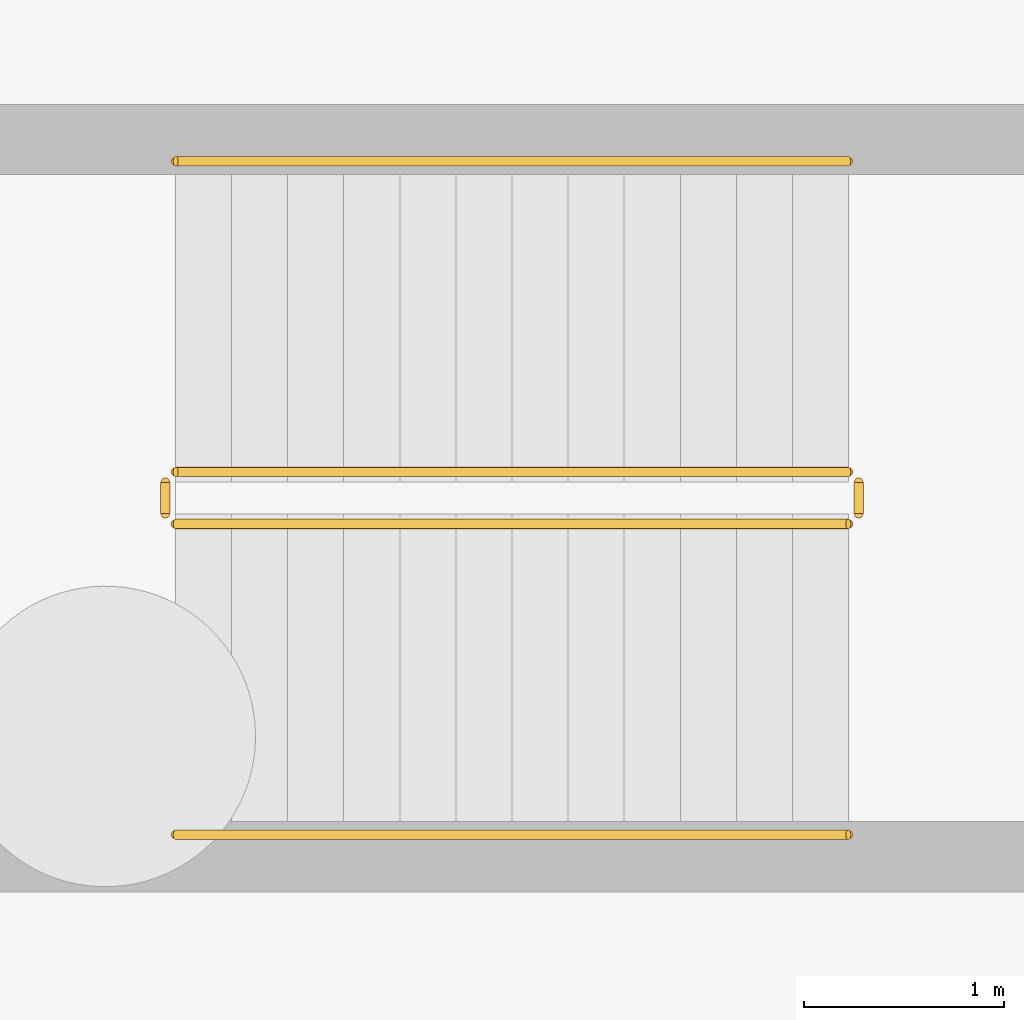
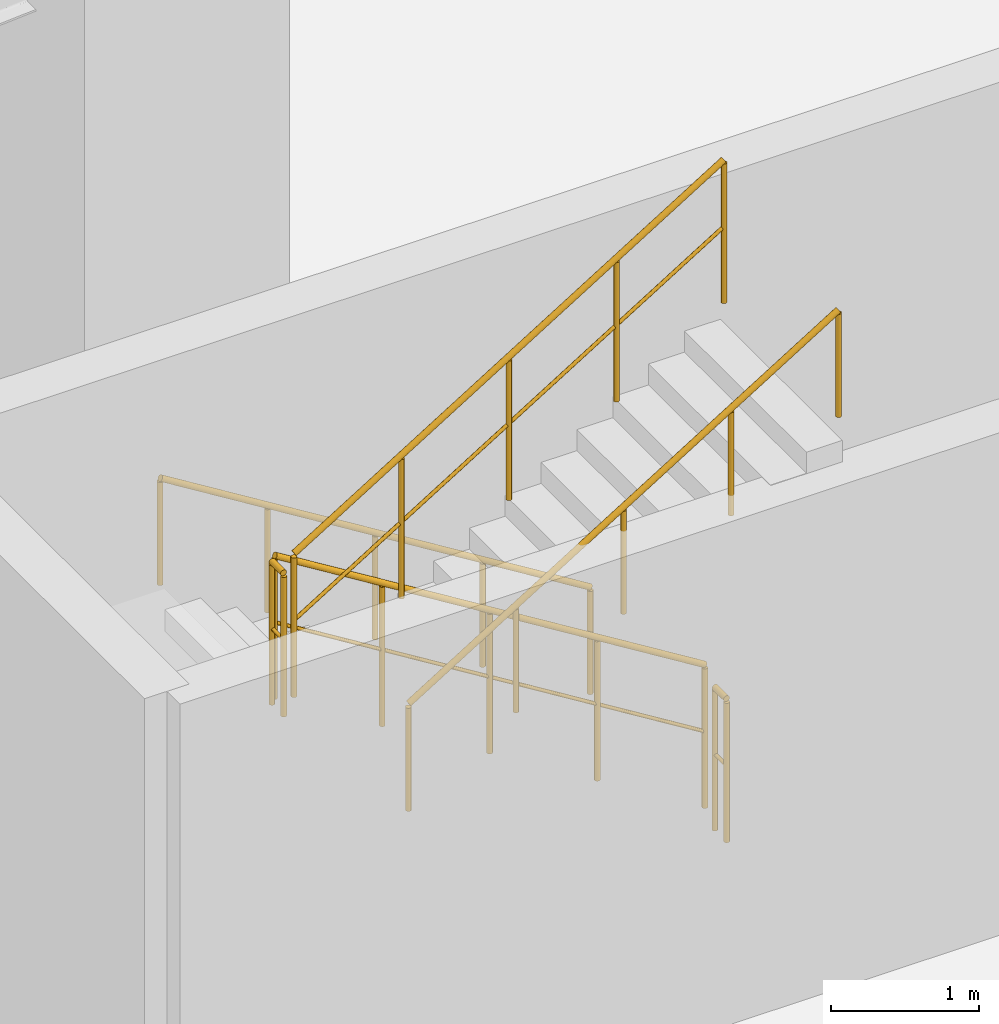
# One storey, part 11 of 15: 6 railings.
"""IFC4 building model written with IfcOpenShell, lengths in metres."""

from ifc_helpers import new_model, si_unit, direction, frame, origin, origin_2d, place, context, subcontext, project, spatial, circle, extrude, material, type_object, element, save


model = new_model("IFC4")

# Units and contexts
model_context = context("Model", 3, precision=1e-05, world=origin(), true_north=direction((0.0, 1.0)))
body_context = subcontext(model_context, "Body", "Model", "MODEL_VIEW")
ifc_project = project(units=[si_unit("LENGTHUNIT", "METRE"), si_unit("AREAUNIT", "SQUARE_METRE"), si_unit("VOLUMEUNIT", "CUBIC_METRE"), si_unit("PLANEANGLEUNIT", "RADIAN"), si_unit("MASSUNIT", "GRAM", prefix="KILO")], contexts=[model_context])

# Site, building, storey
site_placement = place(None, origin())
site = spatial("IfcSite", under=ifc_project, at=site_placement, CompositionType="ELEMENT")
building_placement = place(site_placement, origin())
building = spatial("IfcBuilding", under=site, at=building_placement, Name="Sahyath Konkavel Grand Hotel", CompositionType="ELEMENT")
storey_placement = place(building_placement, frame((0.0, 0.0, -9.0)))
storey = spatial("IfcBuildingStorey", under=building, at=storey_placement, Name="B2", CompositionType="ELEMENT", Elevation=-9.0)

# Railings
ifc_material_1 = material(Name="Steel E350", Category="steel")
railing_type_1 = type_object("IfcRailingType", Name="RLG-STAIR-GRD", PredefinedType="GUARDRAIL", material=ifc_material_1)
railing_1_placement = place(storey_placement, frame((-21.2900390625, -12.179931640625, 0.173095703125)))
element("IfcRailing", 1, at=railing_1_placement, inside=storey, type_object=railing_type_1, Name="B2 ST-P3 stair guard 1", PredefinedType="GUARDRAIL", context=body_context, shape_type="SweptSolid", body=[
    extrude(circle(Radius=0.02392578125, at=origin_2d()), frame((-0.001708984375, 0.0, 1.177001953125), z_axis=(-0.850606129759, 0.0, 0.525803396734), x_axis=(0.0, -1.0, 0.0)), (0.0, 0.0, 1.0), 3.946044921875),
    extrude(circle(Radius=0.01416015625, at=origin_2d()), frame((-0.001708984375, 0.0, 0.625), z_axis=(-0.850606129759, 0.0, 0.525803396734), x_axis=(0.0, -1.0, 0.0)), (0.0, 0.0, 1.0), 3.946044921875),
    extrude(circle(Radius=0.02099609375, at=origin_2d()), origin(), (0.0, 0.0, 1.0), 1.15185546875),
    extrude(circle(Radius=0.02099609375, at=origin_2d()), frame((-0.83984375, 0.0, 0.519287109375)), (0.0, 0.0, 1.0), 1.15185546875),
    extrude(circle(Radius=0.02099609375, at=origin_2d()), frame((-1.679931640625, 0.0, 1.03857421875)), (0.0, 0.0, 1.0), 1.15185546875),
    extrude(circle(Radius=0.02099609375, at=origin_2d()), frame((-2.52001953125, 0.0, 1.5576171875)), (0.0, 0.0, 1.0), 1.15185546875),
    extrude(circle(Radius=0.02099609375, at=origin_2d()), frame((-3.35986328125, 0.0, 2.076904296875)), (0.0, 0.0, 1.0), 1.15185546875),
])
railing_2_placement = place(storey_placement, frame((-24.699951171875, -12.22998046875, 2.25)))
element("IfcRailing", 2, at=railing_2_placement, inside=storey, type_object=railing_type_1, Name="B2 ST-P3 stair guard 2", PredefinedType="GUARDRAIL", context=body_context, shape_type="SweptSolid", body=[
    extrude(circle(Radius=0.02392578125, at=origin_2d()), frame((0.0, -0.001953125, 1.17578125), z_axis=(0.0, -1.0, 0.0), x_axis=(1.0, 0.0, 0.0)), (0.0, 0.0, 1.0), 0.156005859375),
    extrude(circle(Radius=0.01416015625, at=origin_2d()), frame((0.0, -0.001953125, 0.6240234375), z_axis=(0.0, -1.0, 0.0), x_axis=(1.0, 0.0, 0.0)), (0.0, 0.0, 1.0), 0.156005859375),
    extrude(circle(Radius=0.02099609375, at=origin_2d()), origin(), (0.0, 0.0, 1.0), 1.15185546875),
    extrude(circle(Radius=0.02099609375, at=origin_2d()), frame((0.0, -0.159912109375, 0.0)), (0.0, 0.0, 1.0), 1.15185546875),
])
railing_3_placement = place(storey_placement, frame((-24.64990234375, -12.43994140625, 2.423095703125)))
element("IfcRailing", 3, at=railing_3_placement, inside=storey, type_object=railing_type_1, Name="B2 ST-P3 stair guard 3", PredefinedType="GUARDRAIL", context=body_context, shape_type="SweptSolid", body=[
    extrude(circle(Radius=0.02392578125, at=origin_2d()), frame((0.001708984375, 0.0, 1.177001953125), z_axis=(0.850606129759, 0.0, 0.525803396734), x_axis=(0.0, 1.0, 0.0)), (0.0, 0.0, 1.0), 3.946044921875),
    extrude(circle(Radius=0.01416015625, at=origin_2d()), frame((0.001708984375, 0.0, 0.625), z_axis=(0.850606129759, 0.0, 0.525803396734), x_axis=(0.0, 1.0, 0.0)), (0.0, 0.0, 1.0), 3.946044921875),
    extrude(circle(Radius=0.02099609375, at=origin_2d()), origin(), (0.0, 0.0, 1.0), 1.15185546875),
    extrude(circle(Radius=0.02099609375, at=origin_2d()), frame((0.83984375, 0.0, 0.519287109375)), (0.0, 0.0, 1.0), 1.15185546875),
    extrude(circle(Radius=0.02099609375, at=origin_2d()), frame((1.679931640625, 0.0, 1.03857421875)), (0.0, 0.0, 1.0), 1.15185546875),
    extrude(circle(Radius=0.02099609375, at=origin_2d()), frame((2.52001953125, 0.0, 1.5576171875)), (0.0, 0.0, 1.0), 1.15185546875),
    extrude(circle(Radius=0.02099609375, at=origin_2d()), frame((3.35986328125, 0.0, 2.076904296875)), (0.0, 0.0, 1.0), 1.15185546875),
])
railing_4_placement = place(storey_placement, frame((-21.239990234375, -12.22998046875, 0.0)))
element("IfcRailing", 4, at=railing_4_placement, inside=storey, type_object=railing_type_1, Name="B2 ST-P3 stair guard 4", PredefinedType="GUARDRAIL", context=body_context, shape_type="SweptSolid", body=[
    extrude(circle(Radius=0.02392578125, at=origin_2d()), frame((0.0, -0.001953125, 1.17578125), z_axis=(0.0, -1.0, 0.0), x_axis=(1.0, 0.0, 0.0)), (0.0, 0.0, 1.0), 0.156005859375),
    extrude(circle(Radius=0.01416015625, at=origin_2d()), frame((0.0, -0.001953125, 0.6240234375), z_axis=(0.0, -1.0, 0.0), x_axis=(1.0, 0.0, 0.0)), (0.0, 0.0, 1.0), 0.156005859375),
    extrude(circle(Radius=0.02099609375, at=origin_2d()), origin(), (0.0, 0.0, 1.0), 1.15185546875),
    extrude(circle(Radius=0.02099609375, at=origin_2d()), frame((0.0, -0.159912109375, 0.0)), (0.0, 0.0, 1.0), 1.15185546875),
])
ifc_material_2 = material(Name="Anodised Bronze Aluminium", Category="aluminium")
railing_type_2 = type_object("IfcRailingType", Name="RLG-STAIR-HND", PredefinedType="HANDRAIL", material=ifc_material_2)
railing_5_placement = place(storey_placement, frame((-21.2900390625, -10.6298828125, 0.173095703125)))
element("IfcRailing", 5, at=railing_5_placement, inside=storey, type_object=railing_type_2, Name="B2 ST-P3 stair handrail 1", PredefinedType="HANDRAIL", context=body_context, shape_type="SweptSolid", body=[
    extrude(circle(Radius=0.02392578125, at=origin_2d()), frame((-0.001708984375, 0.0, 0.876953125), z_axis=(-0.850606129759, 0.0, 0.525803396734), x_axis=(0.0, -1.0, 0.0)), (0.0, 0.0, 1.0), 3.946044921875),
    extrude(circle(Radius=0.02099609375, at=origin_2d()), origin(), (0.0, 0.0, 1.0), 0.851806640625),
    extrude(circle(Radius=0.02099609375, at=origin_2d()), frame((-0.83984375, 0.0, 0.519287109375)), (0.0, 0.0, 1.0), 0.851806640625),
    extrude(circle(Radius=0.02099609375, at=origin_2d()), frame((-1.679931640625, 0.0, 1.03857421875)), (0.0, 0.0, 1.0), 0.851806640625),
    extrude(circle(Radius=0.02099609375, at=origin_2d()), frame((-2.52001953125, 0.0, 1.5576171875)), (0.0, 0.0, 1.0), 0.851806640625),
    extrude(circle(Radius=0.02099609375, at=origin_2d()), frame((-3.35986328125, 0.0, 2.076904296875)), (0.0, 0.0, 1.0), 0.851806640625),
])
railing_6_placement = place(storey_placement, frame((-24.64990234375, -13.989990234375, 2.423095703125)))
element("IfcRailing", 6, at=railing_6_placement, inside=storey, type_object=railing_type_2, Name="B2 ST-P3 stair handrail 2", PredefinedType="HANDRAIL", context=body_context, shape_type="SweptSolid", body=[
    extrude(circle(Radius=0.02392578125, at=origin_2d()), frame((0.001708984375, 0.0, 0.876953125), z_axis=(0.850606129759, 0.0, 0.525803396734), x_axis=(0.0, 1.0, 0.0)), (0.0, 0.0, 1.0), 3.946044921875),
    extrude(circle(Radius=0.02099609375, at=origin_2d()), origin(), (0.0, 0.0, 1.0), 0.851806640625),
    extrude(circle(Radius=0.02099609375, at=origin_2d()), frame((0.83984375, 0.0, 0.519287109375)), (0.0, 0.0, 1.0), 0.851806640625),
    extrude(circle(Radius=0.02099609375, at=origin_2d()), frame((1.679931640625, 0.0, 1.03857421875)), (0.0, 0.0, 1.0), 0.851806640625),
    extrude(circle(Radius=0.02099609375, at=origin_2d()), frame((2.52001953125, 0.0, 1.5576171875)), (0.0, 0.0, 1.0), 0.851806640625),
    extrude(circle(Radius=0.02099609375, at=origin_2d()), frame((3.35986328125, 0.0, 2.076904296875)), (0.0, 0.0, 1.0), 0.851806640625),
])

save(model, "model.ifc")
